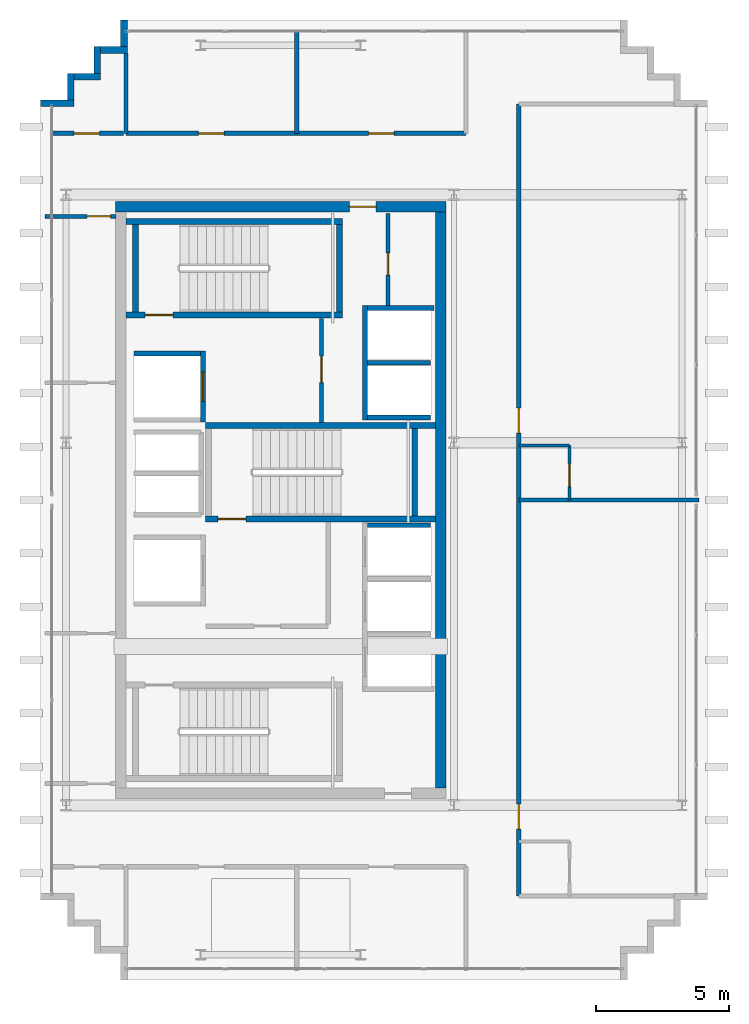
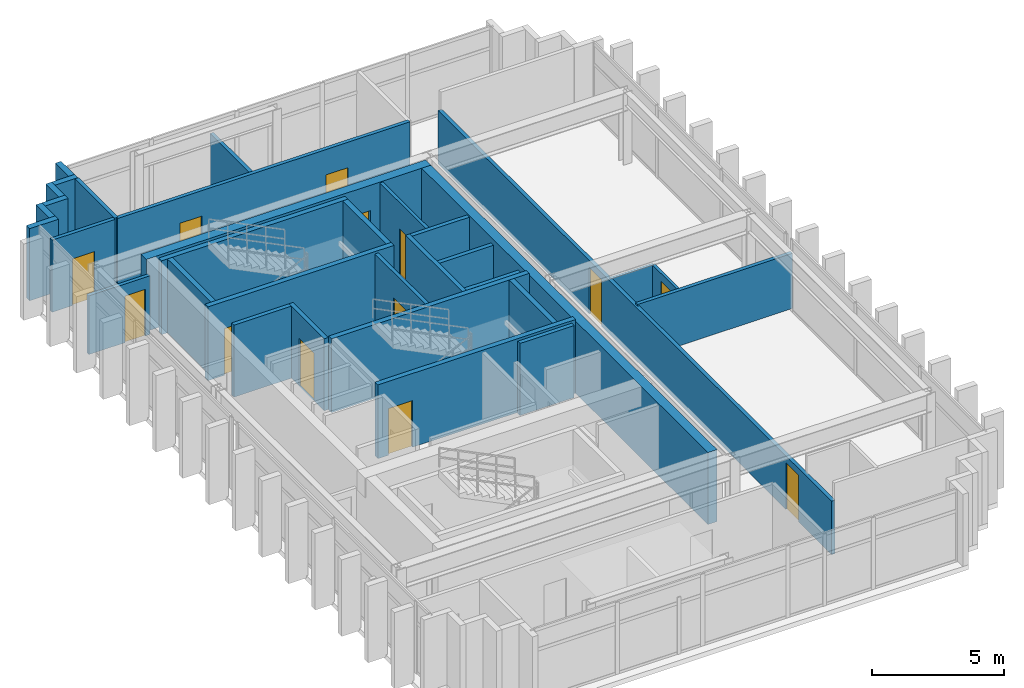
# One storey, part 13 of 15: 33 walls, 13 doors, 13 openings.
"""IFC4 building model written with IfcOpenShell, lengths in metres."""

from ifc_helpers import new_model, si_unit, direction, frame, frame_2d, origin, place, context, subcontext, project, spatial, rectangle, extrude, source, transform, mapped, material, layer, layer_set, type_object, element, fill, save


model = new_model("IFC4")

# Units and contexts
model_context = context("Model", 3, precision=1e-05, world=origin(), true_north=direction((0.0, 1.0)))
body_context = subcontext(model_context, "Body", "Model", "MODEL_VIEW")
ifc_project = project(units=[si_unit("LENGTHUNIT", "METRE"), si_unit("AREAUNIT", "SQUARE_METRE"), si_unit("VOLUMEUNIT", "CUBIC_METRE"), si_unit("PLANEANGLEUNIT", "RADIAN"), si_unit("MASSUNIT", "GRAM", prefix="KILO")], contexts=[model_context])

# Site, building, storey
site_placement = place(None, origin())
site = spatial("IfcSite", under=ifc_project, at=site_placement, CompositionType="ELEMENT")
building_placement = place(site_placement, origin())
building = spatial("IfcBuilding", under=site, at=building_placement, Name="Ocotamira Hotel", CompositionType="ELEMENT")
storey_placement = place(building_placement, frame((0.0, 0.0, 297.60009765625)))
storey = spatial("IfcBuildingStorey", under=building, at=storey_placement, Name="L76", CompositionType="ELEMENT", Elevation=297.60009765625)

# Wall, opening, door
ifc_material_1 = material(Name="Concrete C50/60", Category="concrete")
ifc_layer_1 = layer(ifc_material_1, 0.39990234375)
ifc_layer_set_1 = layer_set([ifc_layer_1], Name="Concrete C50/60")
wall_type_1 = type_object("IfcWallType", Name="WL-CORE-400", PredefinedType="SHEAR", material=ifc_layer_set_1)
wall_1_placement = place(storey_placement, frame((10.800048828125, 37.0, 0.0), z_axis=(0.0, 0.0, 1.0), x_axis=(1.0, 0.0, 0.0)))
wall_1 = element("IfcWall", 1, at=wall_1_placement, inside=storey, type_object=wall_type_1, Name="L76 Shear Core Wall WCORE-N", PredefinedType="SHEAR", context=body_context, shape_type="SweptSolid", body=[
    extrude(rectangle(XDim=12.39990234375, YDim=0.39990234375, at=frame_2d((6.199951171875, 0.0))), origin(), (0.0, 0.0, 1.0), 3.31982421875),
])
opening_1_placement = place(wall_1_placement, frame((8.780029296875, 0.0, 0.0)))
opening_1 = element("IfcOpeningElement", 2, at=opening_1_placement, cuts=wall_1, Name="Opening D-FR2", PredefinedType="OPENING", context=body_context, shape_type="SweptSolid", body=[
    extrude(rectangle(XDim=1.0, YDim=2.14990234375, at=frame_2d((0.5, 1.074951171875))), frame((0.0, 0.2099609375, 0.0), z_axis=(0.0, -1.0, 0.0), x_axis=(1.0, 0.0, 0.0)), (0.0, 0.0, 1.0), 0.419921875),
])
ifc_material_2 = material(Name="Fire-rated acoustic timber-veneer door", Category="wood")
door_type_1 = type_object("IfcDoorType", Name="DR-FIRE-1000", OperationType="NOTDEFINED", PredefinedType="DOOR", material=ifc_material_2)
shared_shape_1 = source(origin(), body_context, "Body", "SweptSolid", [
    extrude(rectangle(XDim=1.0, YDim=2.14990234375, at=frame_2d((0.5, 1.074951171875))), frame((0.0, 0.02490234375, 0.0), z_axis=(0.0, -1.0, 0.0), x_axis=(1.0, 0.0, 0.0)), (0.0, 0.0, 1.0), 0.050048828125),
])
door_1_placement = place(opening_1_placement, origin())
door_1 = element("IfcDoor", 3, at=door_1_placement, inside=storey, type_object=door_type_1, Name="L76 Door ID-L76-WLOB-N-D [ID-L76-WLOB-N-D]", OperationType="SINGLE_SWING_RIGHT", OverallHeight=2.14990234375, OverallWidth=1.0, PredefinedType="DOOR", context=body_context, shape_type="MappedRepresentation", body=[
    mapped(shared_shape_1, transform((0.0, 0.0, 0.0), scale=1.0)),
])
fill(opening_1, door_1)

# Walls
wall_2_placement = place(storey_placement, frame((23.0, 15.199951171875, 0.0), z_axis=(0.0, 0.0, 1.0), x_axis=(0.0, 1.0, 0.0)))
element("IfcWall", 4, at=wall_2_placement, inside=storey, type_object=wall_type_1, Name="L76 Shear Core Wall WCORE-E", PredefinedType="SHEAR", context=body_context, shape_type="SweptSolid", body=[
    extrude(rectangle(XDim=21.60009765625, YDim=0.39990234375, at=frame_2d((10.800048828125, 0.0))), origin(), (0.0, 0.0, 1.0), 3.31982421875),
])
ifc_material_3 = material(Name="Precast concrete C45/55", Category="concrete")
ifc_layer_2 = layer(ifc_material_3, 0.25)
ifc_layer_set_2 = layer_set([ifc_layer_2], Name="Precast concrete C45/55")
wall_type_2 = type_object("IfcWallType", Name="WL-EXT-SER-250", PredefinedType="SOLIDWALL", material=ifc_layer_set_2)
for number, where, z_axis, x_axis, name in (
    (5, (11.125, 44.0, 0.0), (0.0, 0.0, 1.0), (0.0, -1.0, 0.0), "L76 Serrated Corner Wall 13"),
    (6, (11.25, 42.875, 0.0), (0.0, 0.0, 1.0), (-1.0, 0.0, 0.0), "L76 Serrated Corner Wall 14"),
    (7, (10.125, 43.0, 0.0), (0.0, 0.0, 1.0), (0.0, -1.0, 0.0), "L76 Serrated Corner Wall 15"),
    (8, (10.25, 41.875, 0.0), (0.0, 0.0, 1.0), (-1.0, 0.0, 0.0), "L76 Serrated Corner Wall 16"),
    (9, (9.125, 42.0, 0.0), (0.0, 0.0, 1.0), (0.0, -1.0, 0.0), "L76 Serrated Corner Wall 17"),
):
    element("IfcWall", number, at=place(storey_placement, frame(where, z_axis=z_axis, x_axis=x_axis)), inside=storey, type_object=wall_type_2, Name=name, PredefinedType="SOLIDWALL", context=body_context, shape_type="SweptSolid", body=[
        extrude(rectangle(XDim=1.0, YDim=0.25, at=frame_2d((0.5, 0.0))), origin(), (0.0, 0.0, 1.0), 3.31982421875),
    ])
wall_3_placement = place(storey_placement, frame((9.25, 40.875, 0.0), z_axis=(0.0, 0.0, 1.0), x_axis=(-1.0, 0.0, 0.0)))
element("IfcWall", 10, at=wall_3_placement, inside=storey, type_object=wall_type_2, Name="L76 Serrated Corner Wall 18", PredefinedType="SOLIDWALL", context=body_context, shape_type="SweptSolid", body=[
    extrude(rectangle(XDim=1.25, YDim=0.25, at=frame_2d((0.625, 0.0))), origin(), (0.0, 0.0, 1.0), 3.31982421875),
])

# Wall, opening, door
ifc_material_4 = material(Name="Acoustic double-layer fire gypsum board partition", Category="gypsum")
ifc_layer_3 = layer(ifc_material_4, 0.159912109375)
ifc_layer_set_3 = layer_set([ifc_layer_3], Name="Acoustic double-layer fire gypsum board partition")
wall_type_3 = type_object("IfcWallType", Name="WL-FIRE-160", PredefinedType="PARTITIONING", material=ifc_layer_set_3)
wall_4_placement = place(storey_placement, frame((18.530029296875, 28.89990234375, 0.0), z_axis=(0.0, 0.0, 1.0), x_axis=(0.0, 1.0, 0.0)))
wall_4 = element("IfcWall", 11, at=wall_4_placement, inside=storey, type_object=wall_type_3, Name="L76 Interior Wall PW-L76-FSAE2-E", PredefinedType="PARTITIONING", context=body_context, shape_type="SweptSolid", body=[
    extrude(rectangle(XDim=3.900146484375, YDim=0.159912109375, at=frame_2d((1.9501953125, 0.0))), origin(), (0.0, 0.0, 1.0), 3.31982421875),
])
opening_2_placement = place(wall_4_placement, frame((1.5, 0.0, 0.0)))
opening_2 = element("IfcOpeningElement", 12, at=opening_2_placement, cuts=wall_4, Name="Opening D-FR2", PredefinedType="OPENING", context=body_context, shape_type="SweptSolid", body=[
    extrude(rectangle(XDim=1.0, YDim=2.14990234375, at=frame_2d((0.5, 1.074951171875))), frame((0.0, 0.08984375, 0.0), z_axis=(0.0, -1.0, 0.0), x_axis=(1.0, 0.0, 0.0)), (0.0, 0.0, 1.0), 0.179931640625),
])
door_2_placement = place(opening_2_placement, origin())
door_2 = element("IfcDoor", 13, at=door_2_placement, inside=storey, type_object=door_type_1, Name="L76 Door ID-L76-FSAE2-D [ID-L76-FSAE2-D]", OperationType="SINGLE_SWING_RIGHT", OverallHeight=2.14990234375, OverallWidth=1.0, PredefinedType="DOOR", context=body_context, shape_type="MappedRepresentation", body=[
    mapped(shared_shape_1, transform((0.0, 0.0, 0.0), scale=1.0)),
])
fill(opening_2, door_2)

# Wall, openings, doors
wall_5_placement = place(storey_placement, frame((11.199951171875, 39.75, 0.0), z_axis=(0.0, 0.0, 1.0), x_axis=(1.0, 0.0, 0.0)))
wall_5 = element("IfcWall", 14, at=wall_5_placement, inside=storey, type_object=wall_type_3, Name="L76 Interior Wall PW-L76-WP2N-CORRW", PredefinedType="PARTITIONING", context=body_context, shape_type="SweptSolid", body=[
    extrude(rectangle(XDim=12.75, YDim=0.159912109375, at=frame_2d((6.375, 0.0))), origin(), (0.0, 0.0, 1.0), 3.31982421875),
])
opening_3_placement = place(wall_5_placement, frame((2.719970703125, 0.0, 0.0)))
opening_3 = element("IfcOpeningElement", 15, at=opening_3_placement, cuts=wall_5, Name="Opening D-SV4", PredefinedType="OPENING", context=body_context, shape_type="SweptSolid", body=[
    extrude(rectangle(XDim=0.9599609375, YDim=2.14990234375, at=frame_2d((0.47998046875, 1.074951171875))), frame((0.0, 0.08984375, 0.0), z_axis=(0.0, -1.0, 0.0), x_axis=(1.0, 0.0, 0.0)), (0.0, 0.0, 1.0), 0.179931640625),
])
opening_4_placement = place(wall_5_placement, frame((9.094970703125, 0.0, 0.0)))
opening_4 = element("IfcOpeningElement", 16, at=opening_4_placement, cuts=wall_5, Name="Opening D-SV4", PredefinedType="OPENING", context=body_context, shape_type="SweptSolid", body=[
    extrude(rectangle(XDim=0.9599609375, YDim=2.14990234375, at=frame_2d((0.47998046875, 1.074951171875))), frame((0.0, 0.08984375, 0.0), z_axis=(0.0, -1.0, 0.0), x_axis=(1.0, 0.0, 0.0)), (0.0, 0.0, 1.0), 0.179931640625),
])
ifc_material_5 = material(Name="Fire-rated accessible walnut salon door", Category="wood")
door_type_2 = type_object("IfcDoorType", Name="DR-SERV-960", OperationType="NOTDEFINED", PredefinedType="DOOR", material=ifc_material_5)
shared_shape_2 = source(origin(), body_context, "Body", "SweptSolid", [
    extrude(rectangle(XDim=0.9599609375, YDim=2.14990234375, at=frame_2d((0.47998046875, 1.074951171875))), frame((0.0, 0.02490234375, 0.0), z_axis=(0.0, -1.0, 0.0), x_axis=(1.0, 0.0, 0.0)), (0.0, 0.0, 1.0), 0.050048828125),
])
door_3_placement = place(opening_3_placement, origin())
door_3 = element("IfcDoor", 17, at=door_3_placement, inside=storey, type_object=door_type_2, Name="L76 Door ID-L76-WP2N-AMD1 [ID-L76-WP2N-AMD1]", OperationType="SINGLE_SWING_LEFT", OverallHeight=2.14990234375, OverallWidth=0.9599609375, PredefinedType="DOOR", context=body_context, shape_type="MappedRepresentation", body=[
    mapped(shared_shape_2, transform((0.0, 0.0, 0.0), scale=1.0)),
])
fill(opening_3, door_3)
door_4_placement = place(opening_4_placement, origin())
door_4 = element("IfcDoor", 18, at=door_4_placement, inside=storey, type_object=door_type_2, Name="L76 Door ID-L76-WP2N-AMD2 [ID-L76-WP2N-AMD2]", OperationType="SINGLE_SWING_RIGHT", OverallHeight=2.14990234375, OverallWidth=0.9599609375, PredefinedType="DOOR", context=body_context, shape_type="MappedRepresentation", body=[
    mapped(shared_shape_2, transform((0.0, 0.0, 0.0), scale=1.0)),
])
fill(opening_4, door_4)

wall_6_placement = place(storey_placement, frame((25.929931640625, 11.14990234375, 0.0), z_axis=(0.0, 0.0, 1.0), x_axis=(0.0, 1.0, 0.0)))
wall_6 = element("IfcWall", 19, at=wall_6_placement, inside=storey, type_object=wall_type_3, Name="L76 Interior Wall PW-L76-WP-EASTW-FULL", PredefinedType="PARTITIONING", context=body_context, shape_type="SweptSolid", body=[
    extrude(rectangle(XDim=29.7001953125, YDim=0.159912109375, at=frame_2d((14.85009765625, 0.0))), origin(), (0.0, 0.0, 1.0), 2.4638671875),
])
opening_5_placement = place(wall_6_placement, frame((2.510009765625, 0.0, 0.0)))
opening_5 = element("IfcOpeningElement", 20, at=opening_5_placement, cuts=wall_6, Name="Opening D-GR1", PredefinedType="OPENING", context=body_context, shape_type="SweptSolid", body=[
    extrude(rectangle(XDim=0.93994140625, YDim=2.14990234375, at=frame_2d((0.469970703125, 1.074951171875))), frame((0.0, 0.08984375, 0.0), z_axis=(0.0, -1.0, 0.0), x_axis=(1.0, 0.0, 0.0)), (0.0, 0.0, 1.0), 0.179931640625),
])
opening_6_placement = place(wall_6_placement, frame((17.360107421875, 0.0, 0.0)))
opening_6 = element("IfcOpeningElement", 21, at=opening_6_placement, cuts=wall_6, Name="Opening D-GR1", PredefinedType="OPENING", context=body_context, shape_type="SweptSolid", body=[
    extrude(rectangle(XDim=0.93994140625, YDim=2.14990234375, at=frame_2d((0.469970703125, 1.074951171875))), frame((0.0, 0.08984375, 0.0), z_axis=(0.0, -1.0, 0.0), x_axis=(1.0, 0.0, 0.0)), (0.0, 0.0, 1.0), 0.179931640625),
])
ifc_material_6 = material(Name="Solid-core walnut suite entrance fire door", Category="wood")
door_type_3 = type_object("IfcDoorType", Name="DR-GUEST-940", OperationType="NOTDEFINED", PredefinedType="DOOR", material=ifc_material_6)
shared_shape_3 = source(origin(), body_context, "Body", "SweptSolid", [
    extrude(rectangle(XDim=0.93994140625, YDim=2.14990234375, at=frame_2d((0.469970703125, 1.074951171875))), frame((0.0, 0.02490234375, 0.0), z_axis=(0.0, -1.0, 0.0), x_axis=(1.0, 0.0, 0.0)), (0.0, 0.0, 1.0), 0.050048828125),
])
door_5_placement = place(opening_5_placement, origin())
door_5 = element("IfcDoor", 22, at=door_5_placement, inside=storey, type_object=door_type_3, Name="L76 Door ID-L76-WP-ERD1 [ID-L76-WP-ERD1]", OperationType="SINGLE_SWING_LEFT", OverallHeight=2.14990234375, OverallWidth=0.93994140625, PredefinedType="DOOR", context=body_context, shape_type="MappedRepresentation", body=[
    mapped(shared_shape_3, transform((0.0, 0.0, 0.0), scale=1.0)),
])
fill(opening_5, door_5)
door_6_placement = place(opening_6_placement, origin())
door_6 = element("IfcDoor", 23, at=door_6_placement, inside=storey, type_object=door_type_3, Name="L76 Door ID-L76-WP-ERD2 [ID-L76-WP-ERD2]", OperationType="SINGLE_SWING_RIGHT", OverallHeight=2.14990234375, OverallWidth=0.93994140625, PredefinedType="DOOR", context=body_context, shape_type="MappedRepresentation", body=[
    mapped(shared_shape_3, transform((0.0, 0.0, 0.0), scale=1.0)),
])
fill(opening_6, door_6)

# Wall, opening, door
wall_7_placement = place(storey_placement, frame((8.35009765625, 39.75, 0.0), z_axis=(0.0, 0.0, 1.0), x_axis=(1.0, 0.0, 0.0)))
wall_7 = element("IfcWall", 24, at=wall_7_placement, inside=storey, type_object=wall_type_3, Name="L76 Interior Wall PW-L76-WPCNW2-CW", PredefinedType="PARTITIONING", context=body_context, shape_type="SweptSolid", body=[
    extrude(rectangle(XDim=2.75, YDim=0.159912109375, at=frame_2d((1.375, 0.0))), origin(), (0.0, 0.0, 1.0), 3.31982421875),
])
opening_7_placement = place(wall_7_placement, frame((0.89501953125, 0.0, 0.0)))
opening_7 = element("IfcOpeningElement", 25, at=opening_7_placement, cuts=wall_7, Name="Opening D-SV4", PredefinedType="OPENING", context=body_context, shape_type="SweptSolid", body=[
    extrude(rectangle(XDim=0.9599609375, YDim=2.14990234375, at=frame_2d((0.47998046875, 1.074951171875))), frame((0.0, 0.08984375, 0.0), z_axis=(0.0, -1.0, 0.0), x_axis=(1.0, 0.0, 0.0)), (0.0, 0.0, 1.0), 0.179931640625),
])
door_7_placement = place(opening_7_placement, origin())
door_7 = element("IfcDoor", 26, at=door_7_placement, inside=storey, type_object=door_type_2, Name="L76 Door ID-L76-WPCNW2-CD [ID-L76-WPCNW2-CD]", OperationType="SINGLE_SWING_LEFT", OverallHeight=2.14990234375, OverallWidth=0.9599609375, PredefinedType="DOOR", context=body_context, shape_type="MappedRepresentation", body=[
    mapped(shared_shape_2, transform((0.0, 0.0, 0.0), scale=1.0)),
])
fill(opening_7, door_7)

ifc_material_7 = material(Name="Moisture-resistant en-suite tile and gypsum partition", Category="gypsum")
ifc_layer_4 = layer(ifc_material_7, 0.1201171875)
ifc_layer_set_4 = layer_set([ifc_layer_4], Name="Moisture-resistant en-suite tile and gypsum partition")
wall_type_4 = type_object("IfcWallType", Name="WL-PART-120", PredefinedType="PARTITIONING", material=ifc_layer_set_4)
wall_8_placement = place(storey_placement, frame((27.830078125, 26.0, 0.0), z_axis=(0.0, 0.0, 1.0), x_axis=(0.0, 1.0, 0.0)))
wall_8 = element("IfcWall", 27, at=wall_8_placement, inside=storey, type_object=wall_type_4, Name="L76 Interior Wall PW-L76-WP-EBE2", PredefinedType="PARTITIONING", context=body_context, shape_type="SweptSolid", body=[
    extrude(rectangle(XDim=2.0400390625, YDim=0.1201171875, at=frame_2d((1.02001953125, 0.0))), origin(), (0.0, 0.0, 1.0), 2.4638671875),
])
opening_8_placement = place(wall_8_placement, frame((0.5, 0.0, 0.0)))
opening_8 = element("IfcOpeningElement", 28, at=opening_8_placement, cuts=wall_8, Name="Opening D-BA1", PredefinedType="OPENING", context=body_context, shape_type="SweptSolid", body=[
    extrude(rectangle(XDim=0.860107421875, YDim=2.10009765625, at=frame_2d((0.43017578125, 1.050048828125))), frame((0.0, 0.070068359375, 0.0), z_axis=(0.0, -1.0, 0.0), x_axis=(1.0, 0.0, 0.0)), (0.0, 0.0, 1.0), 0.14013671875),
])
ifc_material_8 = material(Name="Moisture-sealed en-suite timber door", Category="wood")
door_type_4 = type_object("IfcDoorType", Name="DR-BATH-860", OperationType="NOTDEFINED", PredefinedType="DOOR", material=ifc_material_8)
shared_shape_4 = source(origin(), body_context, "Body", "SweptSolid", [
    extrude(rectangle(XDim=0.860107421875, YDim=2.10009765625, at=frame_2d((0.43017578125, 1.050048828125))), frame((0.0, 0.02490234375, 0.0), z_axis=(0.0, -1.0, 0.0), x_axis=(1.0, 0.0, 0.0)), (0.0, 0.0, 1.0), 0.050048828125),
])
door_8_placement = place(opening_8_placement, origin())
door_8 = element("IfcDoor", 29, at=door_8_placement, inside=storey, type_object=door_type_4, Name="L76 Door ID-L76-WP-EBD2 [ID-L76-WP-EBD2]", OperationType="SINGLE_SWING_LEFT", OverallHeight=2.10009765625, OverallWidth=0.860107421875, PredefinedType="DOOR", context=body_context, shape_type="MappedRepresentation", body=[
    mapped(shared_shape_4, transform((0.0, 0.0, 0.0), scale=1.0)),
])
fill(opening_8, door_8)

# Wall
wall_9_placement = place(storey_placement, frame((25.929931640625, 28.0400390625, 0.0), z_axis=(0.0, 0.0, 1.0), x_axis=(1.0, 0.0, 0.0)))
element("IfcWall", 30, at=wall_9_placement, inside=storey, type_object=wall_type_4, Name="L76 Interior Wall PW-L76-WP-EBN2", PredefinedType="PARTITIONING", context=body_context, shape_type="SweptSolid", body=[
    extrude(rectangle(XDim=1.900146484375, YDim=0.1201171875, at=frame_2d((0.9501953125, 0.0))), origin(), (0.0, 0.0, 1.0), 2.4638671875),
])

# Wall, opening, door
ifc_material_9 = material(Name="Acoustic hospitality gypsum board partition", Category="gypsum")
ifc_layer_5 = layer(ifc_material_9, 0.14208984375)
ifc_layer_set_5 = layer_set([ifc_layer_5], Name="Acoustic hospitality gypsum board partition")
wall_type_5 = type_object("IfcWallType", Name="WL-PART-142", PredefinedType="PARTITIONING", material=ifc_layer_set_5)
wall_10_placement = place(storey_placement, frame((21.02001953125, 33.280029296875, 0.0), z_axis=(0.0, 0.0, 1.0), x_axis=(0.0, 1.0, 0.0)))
wall_10 = element("IfcWall", 31, at=wall_10_placement, inside=storey, type_object=wall_type_5, Name="L76 Interior Wall PW-L76-WC-NE-W", PredefinedType="PARTITIONING", context=body_context, shape_type="SweptSolid", body=[
    extrude(rectangle(XDim=3.469970703125, YDim=0.14208984375, at=frame_2d((1.73486328125, 0.0))), origin(), (0.0, 0.0, 1.0), 3.31982421875),
])
opening_9_placement = place(wall_10_placement, frame((1.14990234375, 0.0, 0.0)))
opening_9 = element("IfcOpeningElement", 32, at=opening_9_placement, cuts=wall_10, Name="Opening D-SV1", PredefinedType="OPENING", context=body_context, shape_type="SweptSolid", body=[
    extrude(rectangle(XDim=0.840087890625, YDim=2.10009765625, at=frame_2d((0.419921875, 1.050048828125))), frame((0.0, 0.0810546875, 0.0), z_axis=(0.0, -1.0, 0.0), x_axis=(1.0, 0.0, 0.0)), (0.0, 0.0, 1.0), 0.162109375),
])
ifc_material_10 = material(Name="Fire-rated painted steel service door", Category="steel")
door_type_5 = type_object("IfcDoorType", Name="DR-SERV-840", OperationType="NOTDEFINED", PredefinedType="DOOR", material=ifc_material_10)
shared_shape_5 = source(origin(), body_context, "Body", "SweptSolid", [
    extrude(rectangle(XDim=0.840087890625, YDim=2.10009765625, at=frame_2d((0.419921875, 1.050048828125))), frame((0.0, 0.02490234375, 0.0), z_axis=(0.0, -1.0, 0.0), x_axis=(1.0, 0.0, 0.0)), (0.0, 0.0, 1.0), 0.050048828125),
])
door_9_placement = place(opening_9_placement, origin())
door_9 = element("IfcDoor", 33, at=door_9_placement, inside=storey, type_object=door_type_5, Name="L76 Door ID-L76-WC-NE-D [ID-L76-WC-NE-D]", OperationType="SINGLE_SWING_LEFT", OverallHeight=2.10009765625, OverallWidth=0.840087890625, PredefinedType="DOOR", context=body_context, shape_type="MappedRepresentation", body=[
    mapped(shared_shape_5, transform((0.0, 0.0, 0.0), scale=1.0)),
])
fill(opening_9, door_9)

ifc_layer_6 = layer(ifc_material_9, 0.14990234375)
ifc_layer_set_6 = layer_set([ifc_layer_6], Name="Acoustic hospitality gypsum board partition")
wall_type_6 = type_object("IfcWallType", Name="WL-PART-150", PredefinedType="PARTITIONING", material=ifc_layer_set_6)
wall_11_placement = place(storey_placement, frame((8.159912109375, 36.639892578125, 0.0), z_axis=(0.0, 0.0, 1.0), x_axis=(1.0, 0.0, 0.0)))
wall_11 = element("IfcWall", 34, at=wall_11_placement, inside=storey, type_object=wall_type_6, Name="L76 Interior Wall PW-L76-WP2W-WN", PredefinedType="PARTITIONING", context=body_context, shape_type="SweptSolid", body=[
    extrude(rectangle(XDim=2.66015625, YDim=0.14990234375, at=frame_2d((1.330078125, 0.0))), origin(), (0.0, 0.0, 1.0), 2.702880859375),
])
opening_10_placement = place(wall_11_placement, frame((1.580078125, 0.0, 0.0)))
opening_10 = element("IfcOpeningElement", 35, at=opening_10_placement, cuts=wall_11, Name="Opening D-SV2", PredefinedType="OPENING", context=body_context, shape_type="SweptSolid", body=[
    extrude(rectangle(XDim=0.8798828125, YDim=2.14990234375, at=frame_2d((0.43994140625, 1.074951171875))), frame((0.0, 0.0849609375, 0.0), z_axis=(0.0, -1.0, 0.0), x_axis=(1.0, 0.0, 0.0)), (0.0, 0.0, 1.0), 0.169921875),
])
door_type_6 = type_object("IfcDoorType", Name="DR-SERV-880", OperationType="NOTDEFINED", PredefinedType="DOOR", material=ifc_material_10)
shared_shape_6 = source(origin(), body_context, "Body", "SweptSolid", [
    extrude(rectangle(XDim=0.8798828125, YDim=2.14990234375, at=frame_2d((0.43994140625, 1.074951171875))), frame((0.0, 0.02490234375, 0.0), z_axis=(0.0, -1.0, 0.0), x_axis=(1.0, 0.0, 0.0)), (0.0, 0.0, 1.0), 0.050048828125),
])
door_10_placement = place(opening_10_placement, origin())
door_10 = element("IfcDoor", 36, at=door_10_placement, inside=storey, type_object=door_type_6, Name="L76 Door ID-L76-WP2W-DN [ID-L76-WP2W-DN]", OperationType="SINGLE_SWING_RIGHT", OverallHeight=2.14990234375, OverallWidth=0.8798828125, PredefinedType="DOOR", context=body_context, shape_type="MappedRepresentation", body=[
    mapped(shared_shape_6, transform((0.0, 0.0, 0.0), scale=1.0)),
])
fill(opening_10, door_10)

# Walls
ifc_material_11 = material(Name="Acoustic double-stud hospitality gypsum partition", Category="gypsum")
ifc_layer_7 = layer(ifc_material_11, 0.159912109375)
ifc_layer_set_7 = layer_set([ifc_layer_7], Name="Acoustic double-stud hospitality gypsum partition")
wall_type_7 = type_object("IfcWallType", Name="WL-PART-160", PredefinedType="PARTITIONING", material=ifc_layer_set_7)
wall_12_placement = place(storey_placement, frame((11.199951171875, 39.75, 0.0), z_axis=(0.0, 0.0, 1.0), x_axis=(0.0, 1.0, 0.0)))
element("IfcWall", 37, at=wall_12_placement, inside=storey, type_object=wall_type_7, Name="L76 Interior Wall PW-L76-WP2N-PW0", PredefinedType="PARTITIONING", context=body_context, shape_type="SweptSolid", body=[
    extrude(rectangle(XDim=2.989990234375, YDim=0.159912109375, at=frame_2d((1.4951171875, 0.0))), origin(), (0.0, 0.0, 1.0), 3.31982421875),
])
wall_13_placement = place(storey_placement, frame((17.60009765625, 39.75, 0.0), z_axis=(0.0, 0.0, 1.0), x_axis=(0.0, 1.0, 0.0)))
element("IfcWall", 38, at=wall_13_placement, inside=storey, type_object=wall_type_7, Name="L76 Interior Wall PW-L76-WP2N-PW1", PredefinedType="PARTITIONING", context=body_context, shape_type="SweptSolid", body=[
    extrude(rectangle(XDim=3.889892578125, YDim=0.159912109375, at=frame_2d((1.94482421875, 0.0))), origin(), (0.0, 0.0, 1.0), 2.626953125),
])
wall_14_placement = place(storey_placement, frame((25.929931640625, 26.0, 0.0), z_axis=(0.0, 0.0, 1.0), x_axis=(1.0, 0.0, 0.0)))
element("IfcWall", 39, at=wall_14_placement, inside=storey, type_object=wall_type_7, Name="L76 Interior Wall PW-L76-WP-EDIV1", PredefinedType="PARTITIONING", context=body_context, shape_type="SweptSolid", body=[
    extrude(rectangle(XDim=6.75, YDim=0.159912109375, at=frame_2d((3.375, 0.0))), origin(), (0.0, 0.0, 1.0), 2.541015625),
])
ifc_material_12 = material(Name="Fire-rated gypsum shaftliner board assembly", Category="gypsum")
ifc_layer_8 = layer(ifc_material_12, 0.179931640625)
ifc_layer_set_8 = layer_set([ifc_layer_8], Name="Fire-rated gypsum shaftliner board assembly")
wall_type_8 = type_object("IfcWallType", Name="WL-SHAFT-180", PredefinedType="SOLIDWALL", material=ifc_layer_set_8)
wall_15_placement = place(storey_placement, frame((20.25, 25.050048828125, 0.0), z_axis=(0.0, 0.0, 1.0), x_axis=(1.0, 0.0, 0.0)))
element("IfcWall", 40, at=wall_15_placement, inside=storey, type_object=wall_type_8, Name="L76 Interior Wall PW-L76-LFW-BANK-high-N", PredefinedType="SOLIDWALL", context=body_context, shape_type="SweptSolid", body=[
    extrude(rectangle(XDim=2.360107421875, YDim=0.179931640625, at=frame_2d((1.18017578125, 0.0))), origin(), (0.0, 0.0, 1.0), 3.31982421875),
])
wall_16_placement = place(storey_placement, frame((20.159912109375, 29.0, 0.0), z_axis=(0.0, 0.0, 1.0), x_axis=(0.0, 1.0, 0.0)))
element("IfcWall", 41, at=wall_16_placement, inside=storey, type_object=wall_type_8, Name="L76 Interior Wall PW-L76-LFW-BANK-obs-F", PredefinedType="SOLIDWALL", context=body_context, shape_type="SweptSolid", body=[
    extrude(rectangle(XDim=4.2900390625, YDim=0.179931640625, at=frame_2d((2.14501953125, 0.0))), origin(), (0.0, 0.0, 1.0), 3.31982421875),
])
wall_17_placement = place(storey_placement, frame((20.25, 29.090087890625, 0.0), z_axis=(0.0, 0.0, 1.0), x_axis=(1.0, 0.0, 0.0)))
element("IfcWall", 42, at=wall_17_placement, inside=storey, type_object=wall_type_8, Name="L76 Interior Wall PW-L76-LFW-BANK-obs-S", PredefinedType="SOLIDWALL", context=body_context, shape_type="SweptSolid", body=[
    extrude(rectangle(XDim=2.360107421875, YDim=0.179931640625, at=frame_2d((1.18017578125, 0.0))), origin(), (0.0, 0.0, 1.0), 3.31982421875),
])
wall_18_placement = place(storey_placement, frame((20.25, 33.199951171875, 0.0), z_axis=(0.0, 0.0, 1.0), x_axis=(1.0, 0.0, 0.0)))
element("IfcWall", 43, at=wall_18_placement, inside=storey, type_object=wall_type_8, Name="L76 Interior Wall PW-L76-LFW-BANK-obs-N", PredefinedType="SOLIDWALL", context=body_context, shape_type="SweptSolid", body=[
    extrude(rectangle(XDim=2.5, YDim=0.179931640625, at=frame_2d((1.25, 0.0))), origin(), (0.0, 0.0, 1.0), 3.31982421875),
])
wall_19_placement = place(storey_placement, frame((20.25, 31.14501953125, 0.0), z_axis=(0.0, 0.0, 1.0), x_axis=(1.0, 0.0, 0.0)))
element("IfcWall", 44, at=wall_19_placement, inside=storey, type_object=wall_type_8, Name="L76 Interior Wall PW-L76-LFW-DIV-LF-OBS1", PredefinedType="SOLIDWALL", context=body_context, shape_type="SweptSolid", body=[
    extrude(rectangle(XDim=2.360107421875, YDim=0.179931640625, at=frame_2d((1.18017578125, 0.0))), origin(), (0.0, 0.0, 1.0), 3.31982421875),
])
wall_20_placement = place(storey_placement, frame((11.5, 31.489990234375, 0.0), z_axis=(0.0, 0.0, 1.0), x_axis=(1.0, 0.0, 0.0)))
element("IfcWall", 45, at=wall_20_placement, inside=storey, type_object=wall_type_8, Name="L76 Interior Wall PW-L76-LFW-LF-FSAE2-N", PredefinedType="SOLIDWALL", context=body_context, shape_type="SweptSolid", body=[
    extrude(rectangle(XDim=2.5, YDim=0.179931640625, at=frame_2d((1.25, 0.0))), origin(), (0.0, 0.0, 1.0), 3.31982421875),
])

# Wall, opening, door
wall_21_placement = place(storey_placement, frame((14.090087890625, 28.919921875, 0.0), z_axis=(0.0, 0.0, 1.0), x_axis=(0.0, 1.0, 0.0)))
wall_21 = element("IfcWall", 46, at=wall_21_placement, inside=storey, type_object=wall_type_8, Name="L76 Interior Wall PW-L76-LFW-LF-FSAE2-E", PredefinedType="SOLIDWALL", context=body_context, shape_type="SweptSolid", body=[
    extrude(rectangle(XDim=2.66015625, YDim=0.179931640625, at=frame_2d((1.330078125, 0.0))), origin(), (0.0, 0.0, 1.0), 3.31982421875),
])
opening_11_placement = place(wall_21_placement, frame((0.780029296875, 0.0, 0.0)))
opening_11 = element("IfcOpeningElement", 47, at=opening_11_placement, cuts=wall_21, Name="Opening LD-LF-FSAE2", PredefinedType="OPENING", context=body_context, shape_type="SweptSolid", body=[
    extrude(rectangle(XDim=1.10009765625, YDim=2.199951171875, at=frame_2d((0.550048828125, 1.10009765625))), frame((0.0, 0.10009765625, 0.0), z_axis=(0.0, -1.0, 0.0), x_axis=(1.0, 0.0, 0.0)), (0.0, 0.0, 1.0), 0.199951171875),
])
ifc_material_13 = material(Name="Brushed pale-metal stainless elevator landing door", Category="steel")
door_type_7 = type_object("IfcDoorType", Name="DR-LIFT-1100", OperationType="NOTDEFINED", PredefinedType="DOOR", material=ifc_material_13)
shared_shape_7 = source(origin(), body_context, "Body", "SweptSolid", [
    extrude(rectangle(XDim=1.10009765625, YDim=2.199951171875, at=frame_2d((0.550048828125, 1.10009765625))), frame((0.0, 0.02490234375, 0.0), z_axis=(0.0, -1.0, 0.0), x_axis=(1.0, 0.0, 0.0)), (0.0, 0.0, 1.0), 0.050048828125),
])
door_11_placement = place(opening_11_placement, origin())
door_11 = element("IfcDoor", 48, at=door_11_placement, inside=storey, type_object=door_type_7, Name="L76 Landing Door LD-LF-FSAE2 [ID-L76-LD-LF-FSAE2]", OperationType="DOUBLE_DOOR_SLIDING", OverallHeight=2.199951171875, OverallWidth=1.10009765625, PredefinedType="DOOR", context=body_context, shape_type="MappedRepresentation", body=[
    mapped(shared_shape_7, transform((0.0, 0.0, 0.0), scale=1.0)),
])
fill(opening_11, door_11)

ifc_layer_9 = layer(ifc_material_1, 0.219970703125)
ifc_layer_set_9 = layer_set([ifc_layer_9], Name="Concrete C50/60")
wall_type_9 = type_object("IfcWallType", Name="WL-STAIR-220", PredefinedType="SHEAR", material=ifc_layer_set_9)
wall_22_placement = place(storey_placement, frame((11.199951171875, 32.93994140625, 0.0), z_axis=(0.0, 0.0, 1.0), x_axis=(1.0, 0.0, 0.0)))
wall_22 = element("IfcWall", 49, at=wall_22_placement, inside=storey, type_object=wall_type_9, Name="L76 Stair Shaft Structural Wall ST-2-S", PredefinedType="SHEAR", context=body_context, shape_type="SweptSolid", body=[
    extrude(rectangle(XDim=8.110107421875, YDim=0.219970703125, at=frame_2d((4.05517578125, 0.0))), origin(), (0.0, 0.0, 1.0), 3.39990234375),
])
opening_12_placement = place(wall_22_placement, frame((0.719970703125, 0.0, 0.0)))
opening_12 = element("IfcOpeningElement", 50, at=opening_12_placement, cuts=wall_22, Name="Opening D-ST2", PredefinedType="OPENING", context=body_context, shape_type="SweptSolid", body=[
    extrude(rectangle(XDim=1.050048828125, YDim=2.14990234375, at=frame_2d((0.52490234375, 1.074951171875))), frame((0.0, 0.1201171875, 0.0), z_axis=(0.0, -1.0, 0.0), x_axis=(1.0, 0.0, 0.0)), (0.0, 0.0, 1.0), 0.239990234375),
])
ifc_material_14 = material(Name="Insulated painted hollow-metal fire exit door", Category="steel")
door_type_8 = type_object("IfcDoorType", Name="DR-STAIR-1050", OperationType="NOTDEFINED", PredefinedType="DOOR", material=ifc_material_14)
shared_shape_8 = source(origin(), body_context, "Body", "SweptSolid", [
    extrude(rectangle(XDim=1.050048828125, YDim=2.14990234375, at=frame_2d((0.52490234375, 1.074951171875))), frame((0.0, 0.02490234375, 0.0), z_axis=(0.0, -1.0, 0.0), x_axis=(1.0, 0.0, 0.0)), (0.0, 0.0, 1.0), 0.050048828125),
])
door_12_placement = place(opening_12_placement, origin())
door_12 = element("IfcDoor", 51, at=door_12_placement, inside=storey, type_object=door_type_8, Name="L76 Door ID-L76-STD-ST-2 [ID-L76-STD-ST-2]", OperationType="SINGLE_SWING_RIGHT", OverallHeight=2.14990234375, OverallWidth=1.050048828125, PredefinedType="DOOR", context=body_context, shape_type="MappedRepresentation", body=[
    mapped(shared_shape_8, transform((0.0, 0.0, 0.0), scale=1.0)),
])
fill(opening_12, door_12)

# Walls
wall_23_placement = place(storey_placement, frame((11.199951171875, 36.43994140625, 0.0), z_axis=(0.0, 0.0, 1.0), x_axis=(1.0, 0.0, 0.0)))
element("IfcWall", 52, at=wall_23_placement, inside=storey, type_object=wall_type_9, Name="L76 Stair Shaft Structural Wall ST-2-N", PredefinedType="SHEAR", context=body_context, shape_type="SweptSolid", body=[
    extrude(rectangle(XDim=8.110107421875, YDim=0.219970703125, at=frame_2d((4.05517578125, 0.0))), origin(), (0.0, 0.0, 1.0), 3.39990234375),
])
for number, where, z_axis, x_axis, name in (
    (53, (11.56005859375, 33.050048828125, 0.0), (0.0, 0.0, 1.0), (0.0, 1.0, 0.0), "L76 Stair Shaft Structural Wall ST-2-W"),
    (54, (19.199951171875, 33.050048828125, 0.0), (0.0, 0.0, 1.0), (0.0, 1.0, 0.0), "L76 Stair Shaft Structural Wall ST-2-E"),
):
    element("IfcWall", number, at=place(storey_placement, frame(where, z_axis=z_axis, x_axis=x_axis)), inside=storey, type_object=wall_type_9, Name=name, PredefinedType="SHEAR", context=body_context, shape_type="SweptSolid", body=[
        extrude(rectangle(XDim=3.280029296875, YDim=0.219970703125, at=frame_2d((1.64013671875, 0.0))), origin(), (0.0, 0.0, 1.0), 3.39990234375),
    ])

# Wall, opening, door
wall_24_placement = place(storey_placement, frame((14.179931640625, 25.2900390625, 0.0), z_axis=(0.0, 0.0, 1.0), x_axis=(1.0, 0.0, 0.0)))
wall_24 = element("IfcWall", 55, at=wall_24_placement, inside=storey, type_object=wall_type_9, Name="L76 Stair Shaft Structural Wall ST-3-S", PredefinedType="SHEAR", context=body_context, shape_type="SweptSolid", body=[
    extrude(rectangle(XDim=8.6201171875, YDim=0.219970703125, at=frame_2d((4.31005859375, 0.0))), origin(), (0.0, 0.0, 1.0), 3.39990234375),
])
opening_13_placement = place(wall_24_placement, frame((0.469970703125, 0.0, 0.0)))
opening_13 = element("IfcOpeningElement", 56, at=opening_13_placement, cuts=wall_24, Name="Opening D-ST2", PredefinedType="OPENING", context=body_context, shape_type="SweptSolid", body=[
    extrude(rectangle(XDim=1.050048828125, YDim=2.14990234375, at=frame_2d((0.52490234375, 1.074951171875))), frame((0.0, 0.1201171875, 0.0), z_axis=(0.0, -1.0, 0.0), x_axis=(1.0, 0.0, 0.0)), (0.0, 0.0, 1.0), 0.239990234375),
])
door_13_placement = place(opening_13_placement, origin())
door_13 = element("IfcDoor", 57, at=door_13_placement, inside=storey, type_object=door_type_8, Name="L76 Door ID-L76-STD-ST-3 [ID-L76-STD-ST-3]", OperationType="SINGLE_SWING_LEFT", OverallHeight=2.14990234375, OverallWidth=1.050048828125, PredefinedType="DOOR", context=body_context, shape_type="MappedRepresentation", body=[
    mapped(shared_shape_8, transform((0.0, 0.0, 0.0), scale=1.0)),
])
fill(opening_13, door_13)

# Walls
wall_25_placement = place(storey_placement, frame((14.179931640625, 28.7900390625, 0.0), z_axis=(0.0, 0.0, 1.0), x_axis=(1.0, 0.0, 0.0)))
element("IfcWall", 58, at=wall_25_placement, inside=storey, type_object=wall_type_9, Name="L76 Stair Shaft Structural Wall ST-3-N", PredefinedType="SHEAR", context=body_context, shape_type="SweptSolid", body=[
    extrude(rectangle(XDim=8.6201171875, YDim=0.219970703125, at=frame_2d((4.31005859375, 0.0))), origin(), (0.0, 0.0, 1.0), 3.39990234375),
])
wall_26_placement = place(storey_placement, frame((22.030029296875, 25.39990234375, 0.0), z_axis=(0.0, 0.0, 1.0), x_axis=(0.0, 1.0, 0.0)))
element("IfcWall", 59, at=wall_26_placement, inside=storey, type_object=wall_type_9, Name="L76 Stair Shaft Structural Wall ST-3-E", PredefinedType="SHEAR", context=body_context, shape_type="SweptSolid", body=[
    extrude(rectangle(XDim=3.280029296875, YDim=0.219970703125, at=frame_2d((1.64013671875, 0.0))), origin(), (0.0, 0.0, 1.0), 3.39990234375),
])

save(model, "model.ifc")
